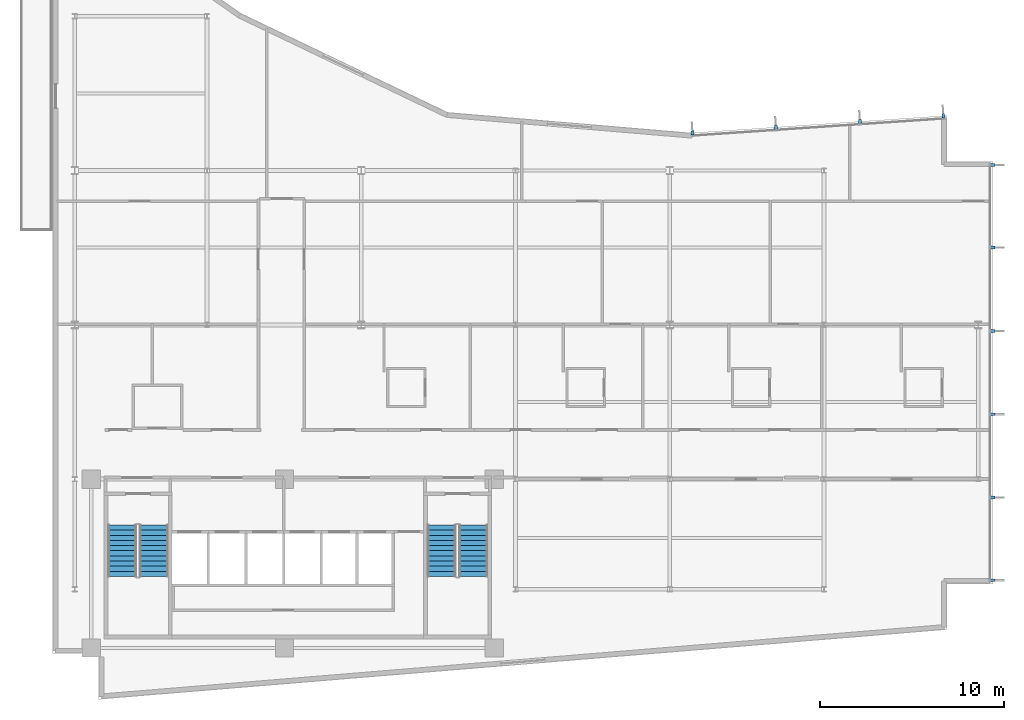
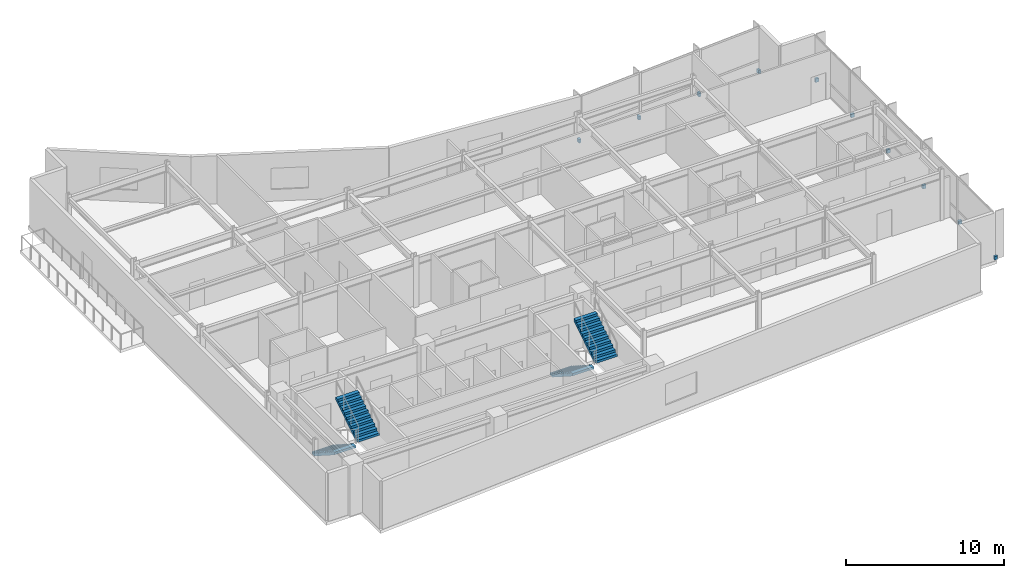
# One storey, part 14 of 17: 10 discrete accessories, 4 stair flights, 2 elements without a shape of their own.
"""IFC4 building model written with IfcOpenShell, lengths in metres."""

from ifc_helpers import new_model, si_unit, direction, frame, origin, origin_2d, place, context, subcontext, project, spatial, polyline, rectangle, outline, extrude, material, layer, layer_set, type_object, element, aggregate, save


model = new_model("IFC4")

# Units and contexts
model_context = context("Model", 3, precision=1e-05, world=origin(), true_north=direction((0.0, 1.0)))
body_context = subcontext(model_context, "Body", "Model", "MODEL_VIEW")
ifc_project = project(units=[si_unit("LENGTHUNIT", "METRE"), si_unit("AREAUNIT", "SQUARE_METRE"), si_unit("VOLUMEUNIT", "CUBIC_METRE"), si_unit("PLANEANGLEUNIT", "RADIAN"), si_unit("MASSUNIT", "GRAM", prefix="KILO")], contexts=[model_context])

# Site, building, storey
site_placement = place(None, origin())
site = spatial("IfcSite", under=ifc_project, at=site_placement, CompositionType="ELEMENT")
building_placement = place(site_placement, origin())
building = spatial("IfcBuilding", under=site, at=building_placement, Name="Varnakote Quay Hospital", CompositionType="ELEMENT")
storey_placement = place(building_placement, frame((0.0, 0.0, 203.949951171875)))
storey = spatial("IfcBuildingStorey", under=building, at=storey_placement, Name="L50", CompositionType="ELEMENT", Elevation=203.949951171875)

# Stair, stair flights
ifc_material_1 = material(Name="Concrete N40 (f'c 40 MPa)", Category="concrete")
stair_type = type_object("IfcStairType", Name="STR-CORE-1580", PredefinedType="HALF_TURN_STAIR", material=ifc_material_1)
stair_1_placement = place(storey_placement, origin())
stair_1 = element("IfcStair", 1, at=stair_1_placement, inside=storey, type_object=stair_type, Name="L50 Fire-Isolated Exit Stair ST-01", PredefinedType="HALF_TURN_STAIR")
ifc_material_2 = material(Name="Concrete N40 (f'c 40 MPa)", Category="concrete")
ifc_layer = layer(ifc_material_2, 0.159912109375)
ifc_layer_set = layer_set([ifc_layer], Name="Concrete N40 (f'c 40 MPa)")
stair_flight_type = type_object("IfcStairFlightType", Name="FLT-CORE-1580", PredefinedType="STRAIGHT", material=ifc_layer_set)
stair_flight_1_placement = place(storey_placement, frame((3.7900390625, 9.5, 0.0), z_axis=(0.0, 0.0, 1.0), x_axis=(0.0, -1.0, 0.0)))
stair_flight_1 = element("IfcStairFlight", 2, at=stair_flight_1_placement, type_object=stair_flight_type, Name="ST-01 flight 1", NumberOfRisers=11, NumberOfTreads=10, PredefinedType="STRAIGHT", RiserHeight=0.179545455, TreadLength=0.28, context=body_context, shape_type="SweptSolid", body=[
    extrude(outline(polyline([(0.0, 0.0), (0.0, 0.179443359375), (0.280029296875, 0.179443359375), (0.280029296875, 0.359130859375), (0.56005859375, 0.359130859375), (0.56005859375, 0.53857421875), (0.840087890625, 0.53857421875), (0.840087890625, 0.71826171875), (1.1201171875, 0.71826171875), (1.1201171875, 0.897705078125), (1.39990234375, 0.897705078125), (1.39990234375, 1.077392578125), (1.679931640625, 1.077392578125), (1.679931640625, 1.2568359375), (1.9599609375, 1.2568359375), (1.9599609375, 1.436279296875), (2.239990234375, 1.436279296875), (2.239990234375, 1.615966796875), (2.52001953125, 1.615966796875), (2.52001953125, 1.79541015625), (2.800048828125, 1.79541015625), (2.800048828125, 1.97509765625), (2.800048828125, 1.60546875), (0.296142578125, 0.0), (0.0, 0.0)])), frame((0.0, 0.7900390625, 0.0), z_axis=(0.0, -1.0, 0.0), x_axis=(1.0, 0.0, 0.0)), (0.0, 0.0, 1.0), 1.580078125),
])
stair_flight_2_placement = place(storey_placement, frame((5.510009765625, 6.699951171875, 1.97509765625), z_axis=(0.0, 0.0, 1.0), x_axis=(0.0, 1.0, 0.0)))
stair_flight_2 = element("IfcStairFlight", 3, at=stair_flight_2_placement, type_object=stair_flight_type, Name="ST-01 flight 2", NumberOfRisers=11, NumberOfTreads=10, PredefinedType="STRAIGHT", RiserHeight=0.179545455, TreadLength=0.28, context=body_context, shape_type="SweptSolid", body=[
    extrude(outline(polyline([(0.0, 0.0), (0.0, 0.179443359375), (0.280029296875, 0.179443359375), (0.280029296875, 0.359130859375), (0.56005859375, 0.359130859375), (0.56005859375, 0.53857421875), (0.840087890625, 0.53857421875), (0.840087890625, 0.71826171875), (1.1201171875, 0.71826171875), (1.1201171875, 0.897705078125), (1.39990234375, 0.897705078125), (1.39990234375, 1.077392578125), (1.679931640625, 1.077392578125), (1.679931640625, 1.2568359375), (1.9599609375, 1.2568359375), (1.9599609375, 1.436279296875), (2.239990234375, 1.436279296875), (2.239990234375, 1.615966796875), (2.52001953125, 1.615966796875), (2.52001953125, 1.79541015625), (2.800048828125, 1.79541015625), (2.800048828125, 1.97509765625), (2.800048828125, 1.60546875), (0.296142578125, 0.0), (0.0, 0.0)])), frame((0.0, 0.7900390625, 0.0), z_axis=(0.0, -1.0, 0.0), x_axis=(1.0, 0.0, 0.0)), (0.0, 0.0, 1.0), 1.580078125),
])
aggregate(stair_1, [stair_flight_1, stair_flight_2])

stair_2_placement = place(storey_placement, origin())
stair_2 = element("IfcStair", 4, at=stair_2_placement, inside=storey, type_object=stair_type, Name="L50 Fire-Isolated Exit Stair ST-02", PredefinedType="HALF_TURN_STAIR")
stair_flight_3_placement = place(storey_placement, frame((21.18994140625, 9.5, 0.0), z_axis=(0.0, 0.0, 1.0), x_axis=(0.0, -1.0, 0.0)))
stair_flight_3 = element("IfcStairFlight", 5, at=stair_flight_3_placement, type_object=stair_flight_type, Name="ST-02 flight 1", NumberOfRisers=11, NumberOfTreads=10, PredefinedType="STRAIGHT", RiserHeight=0.179545455, TreadLength=0.28, context=body_context, shape_type="SweptSolid", body=[
    extrude(outline(polyline([(0.0, 0.0), (0.0, 0.179443359375), (0.280029296875, 0.179443359375), (0.280029296875, 0.359130859375), (0.56005859375, 0.359130859375), (0.56005859375, 0.53857421875), (0.840087890625, 0.53857421875), (0.840087890625, 0.71826171875), (1.1201171875, 0.71826171875), (1.1201171875, 0.897705078125), (1.39990234375, 0.897705078125), (1.39990234375, 1.077392578125), (1.679931640625, 1.077392578125), (1.679931640625, 1.2568359375), (1.9599609375, 1.2568359375), (1.9599609375, 1.436279296875), (2.239990234375, 1.436279296875), (2.239990234375, 1.615966796875), (2.52001953125, 1.615966796875), (2.52001953125, 1.79541015625), (2.800048828125, 1.79541015625), (2.800048828125, 1.97509765625), (2.800048828125, 1.60546875), (0.296142578125, 0.0), (0.0, 0.0)])), frame((0.0, 0.7900390625, 0.0), z_axis=(0.0, -1.0, 0.0), x_axis=(1.0, 0.0, 0.0)), (0.0, 0.0, 1.0), 1.580078125),
])
stair_flight_4_placement = place(storey_placement, frame((22.909912109375, 6.699951171875, 1.97509765625), z_axis=(0.0, 0.0, 1.0), x_axis=(0.0, 1.0, 0.0)))
stair_flight_4 = element("IfcStairFlight", 6, at=stair_flight_4_placement, type_object=stair_flight_type, Name="ST-02 flight 2", NumberOfRisers=11, NumberOfTreads=10, PredefinedType="STRAIGHT", RiserHeight=0.179545455, TreadLength=0.28, context=body_context, shape_type="SweptSolid", body=[
    extrude(outline(polyline([(0.0, 0.0), (0.0, 0.179443359375), (0.280029296875, 0.179443359375), (0.280029296875, 0.359130859375), (0.56005859375, 0.359130859375), (0.56005859375, 0.53857421875), (0.840087890625, 0.53857421875), (0.840087890625, 0.71826171875), (1.1201171875, 0.71826171875), (1.1201171875, 0.897705078125), (1.39990234375, 0.897705078125), (1.39990234375, 1.077392578125), (1.679931640625, 1.077392578125), (1.679931640625, 1.2568359375), (1.9599609375, 1.2568359375), (1.9599609375, 1.436279296875), (2.239990234375, 1.436279296875), (2.239990234375, 1.615966796875), (2.52001953125, 1.615966796875), (2.52001953125, 1.79541015625), (2.800048828125, 1.79541015625), (2.800048828125, 1.97509765625), (2.800048828125, 1.60546875), (0.296142578125, 0.0), (0.0, 0.0)])), frame((0.0, 0.7900390625, 0.0), z_axis=(0.0, -1.0, 0.0), x_axis=(1.0, 0.0, 0.0)), (0.0, 0.0, 1.0), 1.580078125),
])
aggregate(stair_2, [stair_flight_3, stair_flight_4])

# Discrete accessories
ifc_material_3 = material(Name="Anodised aluminium 6063-T6 Bronze", Category="aluminium")
discrete_accessory_type = type_object("IfcDiscreteAccessoryType", Name="ACC-FIN-BRACKET-180", PredefinedType="BRACKET", material=ifc_material_3)
for number, where, z_axis, x_axis, name in (
    (7, (51.18994140625, 6.492431640625, 0.0), (0.0, 0.0, 1.0), (0.0, 1.0, 0.0), "L50 Curtain Wall Fin Fixing Bracket"),
    (8, (51.18994140625, 10.99609375, 0.0), (0.0, 0.0, 1.0), (0.0, 1.0, 0.0), "L50 Curtain Wall Fin Fixing Bracket"),
    (9, (51.18994140625, 15.531982421875, 0.0), (0.0, 0.0, 1.0), (0.0, 1.0, 0.0), "L50 Curtain Wall Fin Fixing Bracket"),
    (10, (51.18994140625, 20.068115234375, 0.0), (0.0, 0.0, 1.0), (0.0, 1.0, 0.0), "L50 Curtain Wall Fin Fixing Bracket"),
    (11, (51.18994140625, 24.60400390625, 0.0), (0.0, 0.0, 1.0), (0.0, 1.0, 0.0), "L50 Curtain Wall Fin Fixing Bracket"),
    (12, (51.18994140625, 29.107421875, 0.0), (0.0, 0.0, 1.0), (0.0, 1.0, 0.0), "L50 Curtain Wall Fin Fixing Bracket"),
    (13, (48.497314453125, 31.776123046875, 0.0), (0.0, 0.0, 1.0), (-0.997696134548, -0.067841160875, 0.0), "L50 Curtain Wall Fin Fixing Bracket"),
    (14, (43.95458984375, 31.46728515625, 0.0), (0.0, 0.0, 1.0), (-0.997696134548, -0.067841160875, 0.0), "L50 Curtain Wall Fin Fixing Bracket"),
    (15, (39.379638671875, 31.15625, 0.0), (0.0, 0.0, 1.0), (-0.997696134548, -0.067841160875, 0.0), "L50 Curtain Wall Fin Fixing Bracket"),
    (16, (34.8369140625, 30.847412109375, 0.0), (0.0, 0.0, 1.0), (-0.997696134548, -0.067841160875, 0.0), "L50 Curtain Wall Fin Fixing Bracket"),
):
    element("IfcDiscreteAccessory", number, at=place(storey_placement, frame(where, z_axis=z_axis, x_axis=x_axis)), inside=storey, type_object=discrete_accessory_type, Name=name, PredefinedType="BRACKET", context=body_context, shape_type="SweptSolid", body=[
        extrude(rectangle(XDim=0.159912109375, YDim=0.239990234375, at=origin_2d()), origin(), (0.0, 0.0, 1.0), 0.280029296875),
    ])

save(model, "model.ifc")
